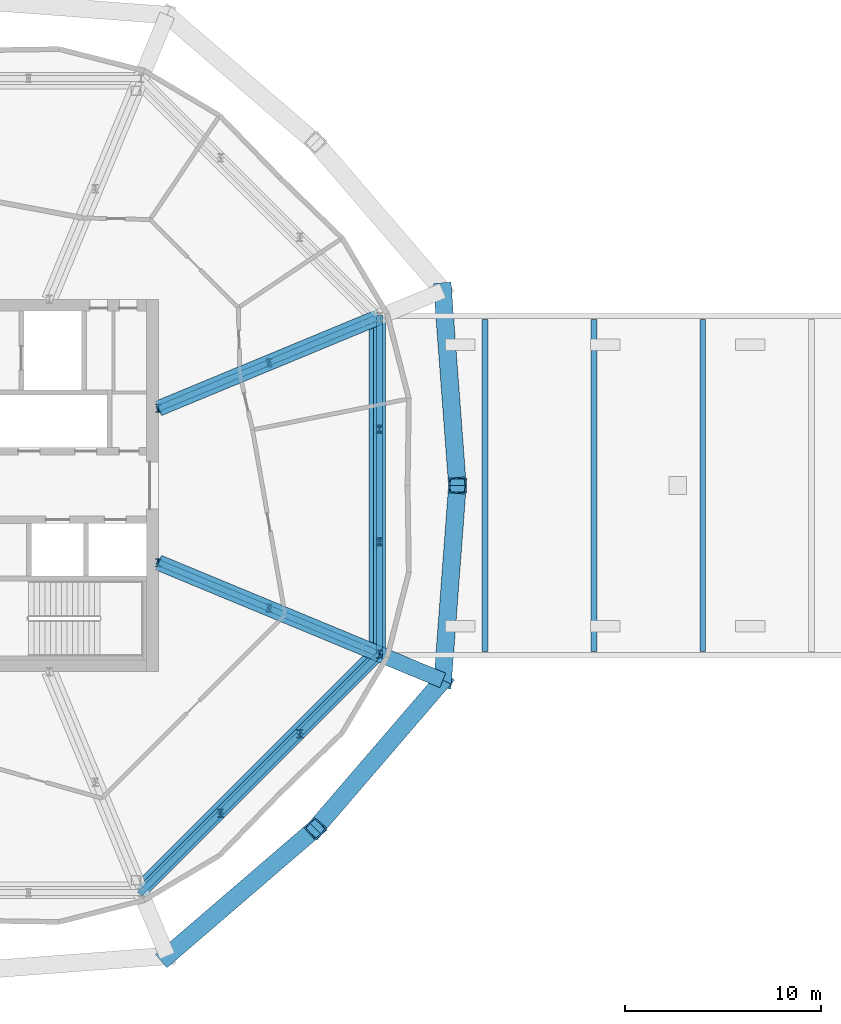
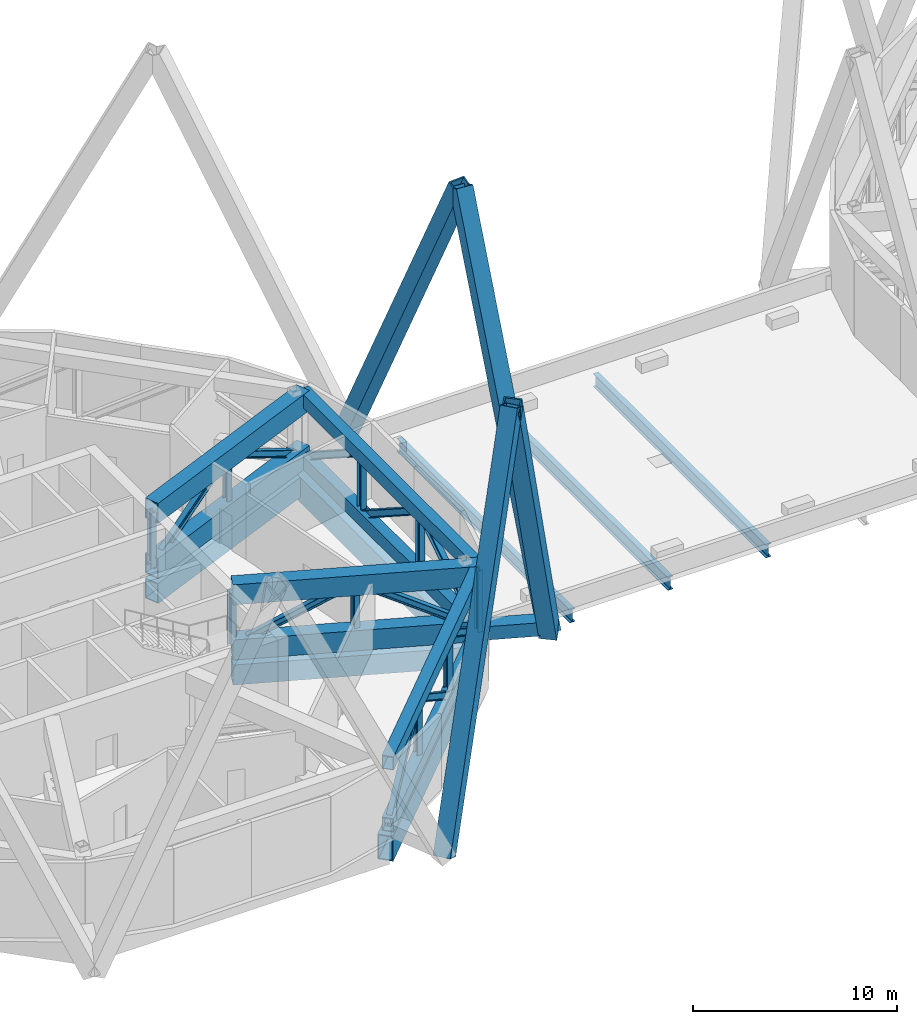
# One storey, part 4 of 20: 31 members, 8 beams.
"""IFC4 building model written with IfcOpenShell, lengths in metres."""

from ifc_helpers import new_model, si_unit, direction, frame, origin, origin_2d, place, context, subcontext, project, spatial, hollow_rectangle, i_section, extrude, material, material_profile, profile_set, type_object, element, save


model = new_model("IFC4")

# Units and contexts
model_context = context("Model", 3, precision=1e-05, world=origin(), true_north=direction((0.0, 1.0)))
body_context = subcontext(model_context, "Body", "Model", "MODEL_VIEW")
ifc_project = project(units=[si_unit("LENGTHUNIT", "METRE"), si_unit("AREAUNIT", "SQUARE_METRE"), si_unit("VOLUMEUNIT", "CUBIC_METRE"), si_unit("PLANEANGLEUNIT", "RADIAN"), si_unit("MASSUNIT", "GRAM", prefix="KILO")], contexts=[model_context])

# Site, building, storey
site_placement = place(None, origin())
site = spatial("IfcSite", under=ifc_project, at=site_placement, CompositionType="ELEMENT")
building_placement = place(site_placement, origin())
building = spatial("IfcBuilding", under=site, at=building_placement, Name="Ogive Gate Towers", CompositionType="ELEMENT")
storey_placement = place(building_placement, frame((0.0, 0.0, 160.800048828125)))
storey = spatial("IfcBuildingStorey", under=building, at=storey_placement, Name="L38", CompositionType="ELEMENT", Elevation=160.800048828125)

# Beams
ifc_material = material(Name="Steel SM460", Category="steel")
ifc_material_profile_1 = material_profile(ifc_material, i_section(OverallWidth=0.300048828125, OverallDepth=0.7900390625, WebThickness=0.014892578125, FlangeThickness=0.028076171875, FilletRadius=0.030029296875, at=origin_2d()), Name="HE 800 A")
ifc_profile_set_1 = profile_set([ifc_material_profile_1], Name="Steel SM460")
beam_type_1 = type_object("IfcBeamType", Name="Block floor beam HE 800 A", PredefinedType="BEAM", material=ifc_profile_set_1)
for number, where, z_axis, x_axis, name in (
    (1, (-9.83056640625, -8.478759765625, -0.695068359375), (0.0, 1.0, 0.0), (-1.0, 0.0, 0.0), "BR/L38/SBM001"),
    (2, (-4.27392578125, -8.478759765625, -0.695068359375), (0.0, 1.0, 0.0), (-1.0, 0.0, 0.0), "BR/L38/SBM002"),
    (3, (1.282470703125, -8.478759765625, -0.695068359375), (0.0, 1.0, 0.0), (-1.0, 0.0, 0.0), "BR/L38/SBM003"),
):
    element("IfcBeam", number, at=place(storey_placement, frame(where, z_axis=z_axis, x_axis=x_axis)), inside=storey, type_object=beam_type_1, Name=name, PredefinedType="BEAM", context=body_context, shape_type="SweptSolid", body=[
        extrude(i_section(OverallWidth=0.300048828125, OverallDepth=0.7900390625, WebThickness=0.014892578125, FlangeThickness=0.028076171875, FilletRadius=0.030029296875, at=origin_2d()), origin(), (0.0, 0.0, 1.0), 16.95751953125),
    ])

# Members
ifc_material_profile_2 = material_profile(ifc_material, hollow_rectangle(XDim=0.89990234375, YDim=0.89990234375, WallThickness=0.070068359375, at=origin_2d()), Name="BX 900x900x70")
ifc_profile_set_2 = profile_set([ifc_material_profile_2], Name="Steel SM460")
member_type_1 = type_object("IfcMemberType", Name="Diagrid diagonal BX 900x900x70", PredefinedType="BRACE", material=ifc_profile_set_2)
member_1_placement = place(storey_placement, frame((-11.98828125, 9.94580078125, 0.0), z_axis=(0.032953335145, -0.437994442779, 0.898373500165), x_axis=(0.997181665421, 0.075024836873, 0.0)))
element("IfcMember", 4, at=member_1_placement, inside=storey, type_object=member_type_1, Name="T1/L38/SDG001", PredefinedType="BRACE", context=body_context, shape_type="SweptSolid", body=[
    extrude(hollow_rectangle(XDim=0.89990234375, YDim=0.89990234375, WallThickness=0.070068359375, at=origin_2d()), origin(), (0.0, 0.0, 1.0), 22.70751953125),
])
for number, where, z_axis, x_axis, name in (
    (5, (-26.05419921875, -24.01171875, 0.0), (0.333025507377, 0.286407312058, 0.898367888471), (-0.652046304076, 0.758179145942, 0.0), "T1/L38/SDG014"),
    (6, (-11.98828125, -9.94580078125, 0.0), (-0.286407312058, -0.333025507377, 0.898367888471), (0.758179145942, -0.652046304076, 0.0), "T1/L38/SDG015"),
):
    element("IfcMember", number, at=place(storey_placement, frame(where, z_axis=z_axis, x_axis=x_axis)), inside=storey, type_object=member_type_1, Name=name, PredefinedType="BRACE", context=body_context, shape_type="SweptSolid", body=[
        extrude(hollow_rectangle(XDim=0.89990234375, YDim=0.89990234375, WallThickness=0.070068359375, at=origin_2d()), origin(), (0.0, 0.0, 1.0), 22.707763671875),
    ])
member_2_placement = place(storey_placement, frame((-11.98828125, -9.94580078125, 0.0), z_axis=(0.032953335145, 0.437994442779, 0.898373500165), x_axis=(-0.997181665421, 0.075024836873, 0.0)))
element("IfcMember", 7, at=member_2_placement, inside=storey, type_object=member_type_1, Name="T1/L38/SDG016", PredefinedType="BRACE", context=body_context, shape_type="SweptSolid", body=[
    extrude(hollow_rectangle(XDim=0.89990234375, YDim=0.89990234375, WallThickness=0.070068359375, at=origin_2d()), origin(), (0.0, 0.0, 1.0), 22.70751953125),
])

# Beams
ifc_material_profile_3 = material_profile(ifc_material, hollow_rectangle(XDim=0.800048828125, YDim=1.5, WallThickness=0.06005859375, at=origin_2d()), Name="BX 1500x800x60")
ifc_profile_set_3 = profile_set([ifc_material_profile_3], Name="Steel SM460")
beam_type_2 = type_object("IfcBeamType", Name="Edge girder BX 1500x800x60", PredefinedType="BEAM", material=ifc_profile_set_3)
beam_1_placement = place(storey_placement, frame((-27.450927734375, -20.639404296875, -1.050048828125), z_axis=(0.707106781187, 0.707106781187, 0.0), x_axis=(-0.707106781187, 0.707106781187, 0.0)))
element("IfcBeam", 8, at=beam_1_placement, inside=storey, type_object=beam_type_2, Name="T1/L38/SBM011", PredefinedType="BEAM", context=body_context, shape_type="SweptSolid", body=[
    extrude(hollow_rectangle(XDim=0.800048828125, YDim=1.5, WallThickness=0.06005859375, at=origin_2d()), origin(), (0.0, 0.0, 1.0), 17.098388671875),
])
beam_2_placement = place(storey_placement, frame((-15.360595703125, -8.549072265625, -1.050048828125), z_axis=(0.0, 1.0, 0.0), x_axis=(-1.0, 0.0, 0.0)))
element("IfcBeam", 9, at=beam_2_placement, inside=storey, type_object=beam_type_2, Name="T1/L38/SBM012", PredefinedType="BEAM", context=body_context, shape_type="SweptSolid", body=[
    extrude(hollow_rectangle(XDim=0.800048828125, YDim=1.5, WallThickness=0.06005859375, at=origin_2d()), origin(), (0.0, 0.0, 1.0), 17.09814453125),
])
ifc_material_profile_4 = material_profile(ifc_material, hollow_rectangle(XDim=0.800048828125, YDim=0.800048828125, WallThickness=0.050048828125, at=origin_2d()), Name="BX 800x800x50")
ifc_profile_set_4 = profile_set([ifc_material_profile_4], Name="Steel SM460")
beam_type_3 = type_object("IfcBeamType", Name="Node arm BX 800x800x50", PredefinedType="BEAM", material=ifc_profile_set_4)
beam_3_placement = place(storey_placement, frame((-15.221923828125, -8.6064453125, 0.449951171875), z_axis=(0.923885910704, -0.382668033682, 0.0), x_axis=(0.382668033682, 0.923885910704, 0.0)))
element("IfcBeam", 10, at=beam_3_placement, inside=storey, type_object=beam_type_3, Name="T1/L38/SBM024", PredefinedType="BEAM", context=body_context, shape_type="SweptSolid", body=[
    extrude(hollow_rectangle(XDim=0.800048828125, YDim=0.800048828125, WallThickness=0.050048828125, at=origin_2d()), origin(), (0.0, 0.0, 1.0), 3.5),
])
ifc_material_profile_5 = material_profile(ifc_material, hollow_rectangle(XDim=0.800048828125, YDim=1.199951171875, WallThickness=0.050048828125, at=origin_2d()), Name="BX 1200x800x50")
ifc_profile_set_5 = profile_set([ifc_material_profile_5], Name="Steel SM460")
beam_type_4 = type_object("IfcBeamType", Name="Transfer radial beam BX 1200x800x50", PredefinedType="BEAM", material=ifc_profile_set_5)
for number, where, z_axis, x_axis, name in (
    (11, (-26.5, -3.93505859375, -0.900146484375), (0.923881839184, -0.382677863518, 0.0), (0.382677863518, 0.923881839184, 0.0), "T1/L38/SBM004"),
    (12, (-26.5, 3.93505859375, -0.900146484375), (0.923881839184, 0.382677863518, 0.0), (-0.382677863518, 0.923881839184, 0.0), "T1/L38/SBM005"),
):
    element("IfcBeam", number, at=place(storey_placement, frame(where, z_axis=z_axis, x_axis=x_axis)), inside=storey, type_object=beam_type_4, Name=name, PredefinedType="BEAM", context=body_context, shape_type="SweptSolid", body=[
        extrude(hollow_rectangle(XDim=0.800048828125, YDim=1.199951171875, WallThickness=0.050048828125, at=origin_2d()), origin(), (0.0, 0.0, 1.0), 12.05712890625),
    ])

# Members
ifc_material_profile_6 = material_profile(ifc_material, hollow_rectangle(XDim=0.800048828125, YDim=1.199951171875, WallThickness=0.050048828125, at=origin_2d()), Name="BX 1200x800x50")
ifc_profile_set_6 = profile_set([ifc_material_profile_6], Name="Steel SM460")
member_type_2 = type_object("IfcMemberType", Name="Truss chord BX 1200x800x50", PredefinedType="CHORD", material=ifc_profile_set_6)
for number, where, z_axis, x_axis, name in (
    (13, (-26.5, 3.93505859375, 0.599853515625), (0.9238837433, 0.382673266464, 0.0), (-0.382673266464, 0.9238837433, 0.0), "T1/L38/STR010"),
    (14, (-26.5, 3.93505859375, 3.89990234375), (0.9238837433, 0.382673266464, 0.0), (-0.382673266464, 0.9238837433, 0.0), "T1/L38/STR011"),
    (15, (-26.5, -3.93505859375, 0.599853515625), (0.9238837433, -0.382673266464, 0.0), (0.382673266464, 0.9238837433, 0.0), "T1/L38/STR107"),
    (16, (-26.5, -3.93505859375, 3.89990234375), (0.9238837433, -0.382673266464, 0.0), (0.382673266464, 0.9238837433, 0.0), "T1/L38/STR108"),
):
    element("IfcMember", number, at=place(storey_placement, frame(where, z_axis=z_axis, x_axis=x_axis)), inside=storey, type_object=member_type_2, Name=name, PredefinedType="CHORD", context=body_context, shape_type="SweptSolid", body=[
        extrude(hollow_rectangle(XDim=0.800048828125, YDim=1.199951171875, WallThickness=0.050048828125, at=origin_2d()), origin(), (0.0, 0.0, 1.0), 12.207275390625),
    ])
ifc_material_profile_7 = material_profile(ifc_material, hollow_rectangle(XDim=0.60009765625, YDim=0.800048828125, WallThickness=0.0400390625, at=origin_2d()), Name="BX 800x600x40")
ifc_profile_set_7 = profile_set([ifc_material_profile_7], Name="Steel SM460")
member_type_3 = type_object("IfcMemberType", Name="Truss chord BX 800x600x40", PredefinedType="CHORD", material=ifc_profile_set_7)
for number, where, z_axis, x_axis, name in (
    (17, (-27.3935546875, -20.778076171875, 0.39990234375), (0.707106781187, 0.707106781187, 0.0), (-0.707106781187, 0.707106781187, 0.0), "T1/L38/STR086"),
    (18, (-27.3935546875, -20.778076171875, 4.099853515625), (0.707106781187, 0.707106781187, 0.0), (-0.707106781187, 0.707106781187, 0.0), "T1/L38/STR087"),
):
    element("IfcMember", number, at=place(storey_placement, frame(where, z_axis=z_axis, x_axis=x_axis)), inside=storey, type_object=member_type_3, Name=name, PredefinedType="CHORD", context=body_context, shape_type="SweptSolid", body=[
        extrude(hollow_rectangle(XDim=0.60009765625, YDim=0.800048828125, WallThickness=0.0400390625, at=origin_2d()), origin(), (0.0, 0.0, 1.0), 17.21337890625),
    ])
for number, where, z_axis, x_axis, name in (
    (19, (-15.221923828125, -8.6064453125, 0.39990234375), (0.0, 1.0, 0.0), (-1.0, 0.0, 0.0), "T1/L38/STR100"),
    (20, (-15.221923828125, -8.6064453125, 4.099853515625), (0.0, 1.0, 0.0), (-1.0, 0.0, 0.0), "T1/L38/STR101"),
):
    element("IfcMember", number, at=place(storey_placement, frame(where, z_axis=z_axis, x_axis=x_axis)), inside=storey, type_object=member_type_3, Name=name, PredefinedType="CHORD", context=body_context, shape_type="SweptSolid", body=[
        extrude(hollow_rectangle(XDim=0.60009765625, YDim=0.800048828125, WallThickness=0.0400390625, at=origin_2d()), origin(), (0.0, 0.0, 1.0), 17.212890625),
    ])
ifc_material_profile_8 = material_profile(ifc_material, i_section(OverallWidth=0.300048828125, OverallDepth=0.39990234375, WebThickness=0.013427734375, FlangeThickness=0.02392578125, FilletRadius=0.027099609375, at=origin_2d()), Name="HE 400 B")
ifc_profile_set_8 = profile_set([ifc_material_profile_8], Name="Steel SM460")
member_type_4 = type_object("IfcMemberType", Name="Truss diagonal HE 400 B", PredefinedType="BRACE", material=ifc_profile_set_8)
member_3_placement = place(storey_placement, frame((-26.5, 3.93505859375, 0.599853515625), z_axis=(0.812696392347, 0.336626678165, 0.47561229317), x_axis=(-0.382680337371, 0.923880814494, 0.0)))
element("IfcMember", 21, at=member_3_placement, inside=storey, type_object=member_type_4, Name="T1/L38/STR012", PredefinedType="BRACE", context=body_context, shape_type="SweptSolid", body=[
    extrude(i_section(OverallWidth=0.300048828125, OverallDepth=0.39990234375, WebThickness=0.013427734375, FlangeThickness=0.02392578125, FilletRadius=0.027099609375, at=origin_2d()), origin(), (0.0, 0.0, 1.0), 6.9384765625),
])
member_4_placement = place(storey_placement, frame((-20.861083984375, 6.270751953125, 3.89990234375), z_axis=(0.812708338424, 0.336617052286, -0.475598692981), x_axis=(-0.382666195796, 0.923886671944, 0.0)))
element("IfcMember", 22, at=member_4_placement, inside=storey, type_object=member_type_4, Name="T1/L38/STR013", PredefinedType="BRACE", context=body_context, shape_type="SweptSolid", body=[
    extrude(i_section(OverallWidth=0.300048828125, OverallDepth=0.39990234375, WebThickness=0.013427734375, FlangeThickness=0.02392578125, FilletRadius=0.027099609375, at=origin_2d()), origin(), (0.0, 0.0, 1.0), 6.938720703125),
])
member_5_placement = place(storey_placement, frame((-27.3935546875, -20.778076171875, 0.39990234375), z_axis=(0.594262314662, 0.594262314662, 0.541945202714), x_axis=(-0.707106781187, 0.707106781187, 0.0)))
element("IfcMember", 23, at=member_5_placement, inside=storey, type_object=member_type_4, Name="T1/L38/STR088", PredefinedType="BRACE", context=body_context, shape_type="SweptSolid", body=[
    extrude(i_section(OverallWidth=0.300048828125, OverallDepth=0.39990234375, WebThickness=0.013427734375, FlangeThickness=0.02392578125, FilletRadius=0.027099609375, at=origin_2d()), origin(), (0.0, 0.0, 1.0), 6.8271484375),
])
member_6_placement = place(storey_placement, frame((-23.33642578125, -16.720947265625, 4.099853515625), z_axis=(0.594272816916, 0.594272816916, -0.541922169827), x_axis=(-0.707106781187, 0.707106781187, 0.0)))
element("IfcMember", 24, at=member_6_placement, inside=storey, type_object=member_type_4, Name="T1/L38/STR089", PredefinedType="BRACE", context=body_context, shape_type="SweptSolid", body=[
    extrude(i_section(OverallWidth=0.300048828125, OverallDepth=0.39990234375, WebThickness=0.013427734375, FlangeThickness=0.02392578125, FilletRadius=0.027099609375, at=origin_2d()), origin(), (0.0, 0.0, 1.0), 6.827392578125),
])
for number, where, z_axis, x_axis, name in (
    (25, (-19.279052734375, -12.66357421875, 4.099853515625), (0.594262314662, 0.594262314662, -0.541945202714), (-0.707106781187, 0.707106781187, 0.0), "T1/L38/STR090"),
    (26, (-15.221923828125, -8.6064453125, 0.39990234375), (0.0, 0.840409613469, 0.541951733634), (-1.0, 0.0, 0.0), "T1/L38/STR102"),
):
    element("IfcMember", number, at=place(storey_placement, frame(where, z_axis=z_axis, x_axis=x_axis)), inside=storey, type_object=member_type_4, Name=name, PredefinedType="BRACE", context=body_context, shape_type="SweptSolid", body=[
        extrude(i_section(OverallWidth=0.300048828125, OverallDepth=0.39990234375, WebThickness=0.013427734375, FlangeThickness=0.02392578125, FilletRadius=0.027099609375, at=origin_2d()), origin(), (0.0, 0.0, 1.0), 6.8271484375),
    ])
member_7_placement = place(storey_placement, frame((-15.221923828125, -2.868896484375, 4.099853515625), z_axis=(0.0, 0.840420116299, -0.541935446452), x_axis=(-1.0, 0.0, 0.0)))
element("IfcMember", 27, at=member_7_placement, inside=storey, type_object=member_type_4, Name="T1/L38/STR103", PredefinedType="BRACE", context=body_context, shape_type="SweptSolid", body=[
    extrude(i_section(OverallWidth=0.300048828125, OverallDepth=0.39990234375, WebThickness=0.013427734375, FlangeThickness=0.02392578125, FilletRadius=0.027099609375, at=origin_2d()), origin(), (0.0, 0.0, 1.0), 6.827392578125),
])
member_8_placement = place(storey_placement, frame((-15.221923828125, 2.868896484375, 4.099853515625), z_axis=(0.0, 0.840409613469, -0.541951733634), x_axis=(-1.0, 0.0, 0.0)))
element("IfcMember", 28, at=member_8_placement, inside=storey, type_object=member_type_4, Name="T1/L38/STR104", PredefinedType="BRACE", context=body_context, shape_type="SweptSolid", body=[
    extrude(i_section(OverallWidth=0.300048828125, OverallDepth=0.39990234375, WebThickness=0.013427734375, FlangeThickness=0.02392578125, FilletRadius=0.027099609375, at=origin_2d()), origin(), (0.0, 0.0, 1.0), 6.8271484375),
])
member_9_placement = place(storey_placement, frame((-26.5, -3.93505859375, 0.599853515625), z_axis=(0.812696392347, -0.336626678165, 0.47561229317), x_axis=(0.382680337371, 0.923880814494, 0.0)))
element("IfcMember", 29, at=member_9_placement, inside=storey, type_object=member_type_4, Name="T1/L38/STR109", PredefinedType="BRACE", context=body_context, shape_type="SweptSolid", body=[
    extrude(i_section(OverallWidth=0.300048828125, OverallDepth=0.39990234375, WebThickness=0.013427734375, FlangeThickness=0.02392578125, FilletRadius=0.027099609375, at=origin_2d()), origin(), (0.0, 0.0, 1.0), 6.9384765625),
])
member_10_placement = place(storey_placement, frame((-20.861083984375, -6.270751953125, 3.89990234375), z_axis=(0.812708338424, -0.336617052286, -0.475598692981), x_axis=(0.382666195796, 0.923886671944, 0.0)))
element("IfcMember", 30, at=member_10_placement, inside=storey, type_object=member_type_4, Name="T1/L38/STR110", PredefinedType="BRACE", context=body_context, shape_type="SweptSolid", body=[
    extrude(i_section(OverallWidth=0.300048828125, OverallDepth=0.39990234375, WebThickness=0.013427734375, FlangeThickness=0.02392578125, FilletRadius=0.027099609375, at=origin_2d()), origin(), (0.0, 0.0, 1.0), 6.938720703125),
])
ifc_material_profile_9 = material_profile(ifc_material, i_section(OverallWidth=0.300048828125, OverallDepth=0.39990234375, WebThickness=0.013427734375, FlangeThickness=0.02392578125, FilletRadius=0.027099609375, at=origin_2d()), Name="HE 400 B")
ifc_profile_set_9 = profile_set([ifc_material_profile_9], Name="Steel SM460")
member_type_5 = type_object("IfcMemberType", Name="Truss post HE 400 B", PredefinedType="POST", material=ifc_profile_set_9)
for number, where, z_axis, x_axis, name in (
    (31, (-26.5, 3.93505859375, 0.599853515625), (0.0, 0.0, 1.0), (1.0, 0.0, 0.0), "T1/L38/STR014"),
    (32, (-20.861083984375, 6.270751953125, 0.599853515625), (0.0, 0.0, 1.0), (1.0, 0.0, 0.0), "T1/L38/STR015"),
):
    element("IfcMember", number, at=place(storey_placement, frame(where, z_axis=z_axis, x_axis=x_axis)), inside=storey, type_object=member_type_5, Name=name, PredefinedType="POST", context=body_context, shape_type="SweptSolid", body=[
        extrude(i_section(OverallWidth=0.300048828125, OverallDepth=0.39990234375, WebThickness=0.013427734375, FlangeThickness=0.02392578125, FilletRadius=0.027099609375, at=origin_2d()), origin(), (0.0, 0.0, 1.0), 3.300048828125),
    ])
for number, where, z_axis, x_axis, name in (
    (33, (-23.33642578125, -16.720947265625, 0.39990234375), (0.0, 0.0, 1.0), (1.0, 0.0, 0.0), "T1/L38/STR091"),
    (34, (-19.279052734375, -12.66357421875, 0.39990234375), (0.0, 0.0, 1.0), (1.0, 0.0, 0.0), "T1/L38/STR092"),
    (35, (-15.221923828125, -8.6064453125, 0.39990234375), (0.0, 0.0, 1.0), (1.0, 0.0, 0.0), "T1/L38/STR093"),
    (36, (-15.221923828125, -2.868896484375, 0.39990234375), (0.0, 0.0, 1.0), (1.0, 0.0, 0.0), "T1/L38/STR105"),
    (37, (-15.221923828125, 2.868896484375, 0.39990234375), (0.0, 0.0, 1.0), (1.0, 0.0, 0.0), "T1/L38/STR106"),
):
    element("IfcMember", number, at=place(storey_placement, frame(where, z_axis=z_axis, x_axis=x_axis)), inside=storey, type_object=member_type_5, Name=name, PredefinedType="POST", context=body_context, shape_type="SweptSolid", body=[
        extrude(i_section(OverallWidth=0.300048828125, OverallDepth=0.39990234375, WebThickness=0.013427734375, FlangeThickness=0.02392578125, FilletRadius=0.027099609375, at=origin_2d()), origin(), (0.0, 0.0, 1.0), 3.699951171875),
    ])
for number, where, z_axis, x_axis, name in (
    (38, (-26.5, -3.93505859375, 0.599853515625), (0.0, 0.0, 1.0), (1.0, 0.0, 0.0), "T1/L38/STR111"),
    (39, (-20.861083984375, -6.270751953125, 0.599853515625), (0.0, 0.0, 1.0), (1.0, 0.0, 0.0), "T1/L38/STR112"),
):
    element("IfcMember", number, at=place(storey_placement, frame(where, z_axis=z_axis, x_axis=x_axis)), inside=storey, type_object=member_type_5, Name=name, PredefinedType="POST", context=body_context, shape_type="SweptSolid", body=[
        extrude(i_section(OverallWidth=0.300048828125, OverallDepth=0.39990234375, WebThickness=0.013427734375, FlangeThickness=0.02392578125, FilletRadius=0.027099609375, at=origin_2d()), origin(), (0.0, 0.0, 1.0), 3.300048828125),
    ])

save(model, "model.ifc")
